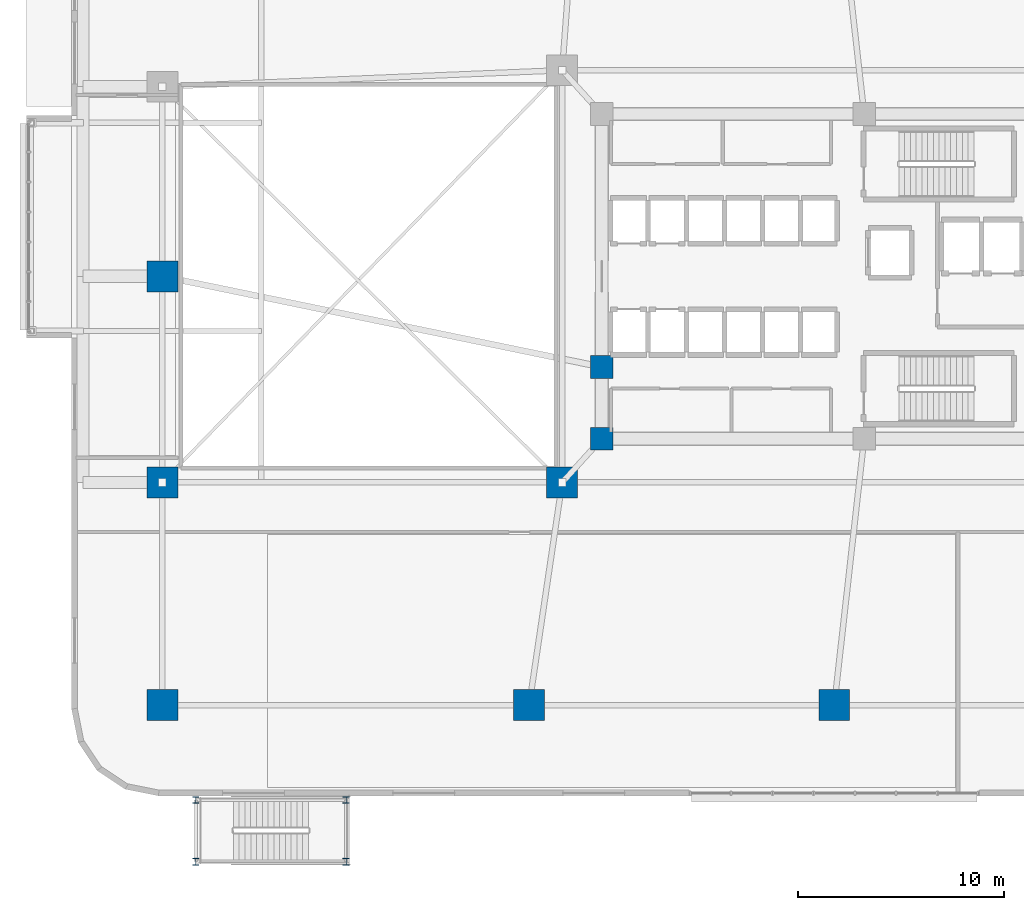
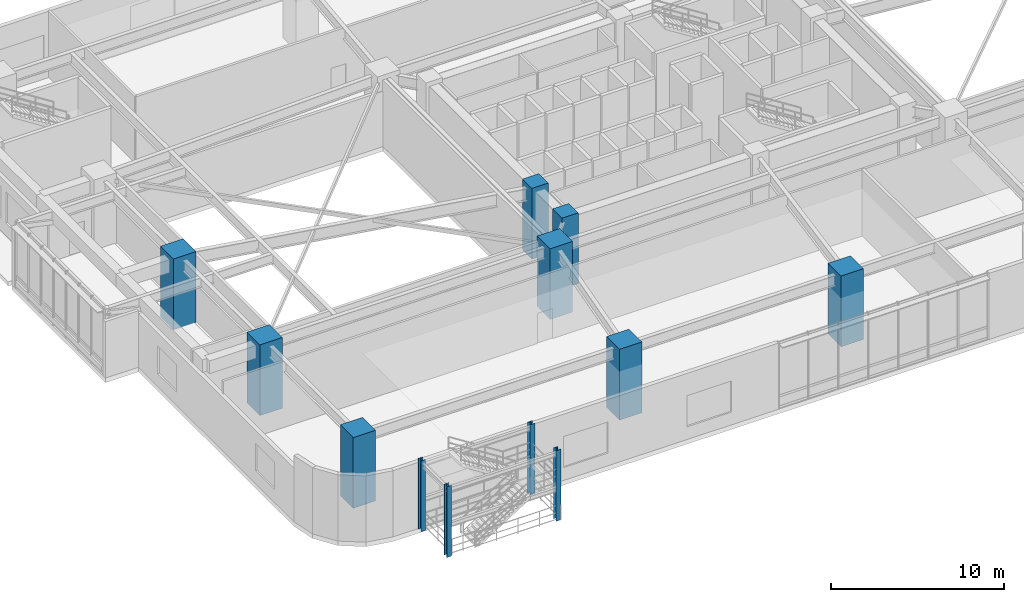
# One storey, part 1 of 26: 12 columns.
"""IFC4 building model written with IfcOpenShell, lengths in metres."""

from ifc_helpers import new_model, si_unit, direction, frame, origin, origin_2d, place, context, subcontext, project, spatial, rectangle, i_section, extrude, material, material_profile, profile_set, type_object, element, save


model = new_model("IFC4")

# Units and contexts
model_context = context("Model", 3, precision=1e-05, world=origin(), true_north=direction((0.0, 1.0)))
body_context = subcontext(model_context, "Body", "Model", "MODEL_VIEW")
ifc_project = project(units=[si_unit("LENGTHUNIT", "METRE"), si_unit("AREAUNIT", "SQUARE_METRE"), si_unit("VOLUMEUNIT", "CUBIC_METRE"), si_unit("PLANEANGLEUNIT", "RADIAN"), si_unit("MASSUNIT", "GRAM", prefix="KILO")], contexts=[model_context])

# Site, building, storey
site_placement = place(None, origin())
site = spatial("IfcSite", under=ifc_project, at=site_placement, CompositionType="ELEMENT")
building_placement = place(site_placement, origin())
building = spatial("IfcBuilding", under=site, at=building_placement, Name="Zulverin Broadcast Headquarters", CompositionType="ELEMENT")
storey_placement = place(building_placement, frame((0.0, 0.0, 15.0)))
storey = spatial("IfcBuildingStorey", under=building, at=storey_placement, Name="L03", CompositionType="ELEMENT", Elevation=15.0)

# Columns
ifc_material_1 = material(Name="Concrete C60/75", Category="concrete")
ifc_material_profile_1 = material_profile(ifc_material_1, rectangle(XDim=1.5, YDim=1.5, at=origin_2d()), Name="Concrete C60/75", Category="concrete")
ifc_profile_set_1 = profile_set([ifc_material_profile_1], Name="Concrete C60/75")
column_type_1 = type_object("IfcColumnType", Name="COL-RC-1500", PredefinedType="COLUMN", material=ifc_profile_set_1)
for number, where, z_axis, x_axis, name in (
    (1, (4.39990234375, 4.39990234375, 0.0), (0.0, 0.0, 1.0), (1.0, 0.0, 0.0), "L03 Podium Mega Column P01"),
    (2, (22.199951171875, 4.39990234375, 0.0), (0.0, 0.0, 1.0), (1.0, 0.0, 0.0), "L03 Podium Mega Column P02"),
    (3, (37.0, 4.39990234375, 0.0), (0.0, 0.0, 1.0), (1.0, 0.0, 0.0), "L03 Podium Mega Column P03"),
    (4, (4.39990234375, 15.199951171875, 0.0), (0.0, 0.0, 1.0), (1.0, 0.0, 0.0), "L03 Podium Mega Column P11"),
    (5, (4.39990234375, 25.199951171875, 0.0), (0.0, 0.0, 1.0), (1.0, 0.0, 0.0), "L03 Podium Mega Column P12"),
    (6, (23.800048828125, 15.199951171875, 0.0), (0.0, 0.0, 1.0), (1.0, 0.0, 0.0), "L03 Podium Mega Column M01"),
):
    element("IfcColumn", number, at=place(storey_placement, frame(where, z_axis=z_axis, x_axis=x_axis)), inside=storey, type_object=column_type_1, Name=name, PredefinedType="COLUMN", context=body_context, shape_type="SweptSolid", body=[
        extrude(rectangle(XDim=1.5, YDim=1.5, at=origin_2d()), origin(), (0.0, 0.0, 1.0), 5.0),
    ])
ifc_material_2 = material(Name="Structural steel S355JR", Category="steel")
ifc_material_profile_2 = material_profile(ifc_material_2, i_section(OverallWidth=0.311279296875, OverallDepth=0.3271484375, WebThickness=0.015869140625, FlangeThickness=0.02490234375, at=origin_2d()), Name="Structural steel S355JR", Category="steel")
ifc_profile_set_2 = profile_set([ifc_material_profile_2], Name="Structural steel S355JR")
column_type_2 = type_object("IfcColumnType", Name="COL-UC-158", PredefinedType="COLUMN", material=ifc_profile_set_2)
for number, where, z_axis, x_axis, name in (
    (7, (6.02001953125, -3.199951171875, 0.0), (0.0, 0.0, 1.0), (1.0, 0.0, 0.0), "L03 Exterior Garden Stair Support Column ST5-P1"),
    (8, (13.320068359375, -3.199951171875, 0.0), (0.0, 0.0, 1.0), (1.0, 0.0, 0.0), "L03 Exterior Garden Stair Support Column ST5-P2"),
    (9, (6.02001953125, -0.199951171875, 0.0), (0.0, 0.0, 1.0), (1.0, 0.0, 0.0), "L03 Exterior Garden Stair Support Column ST5-P3"),
    (10, (13.320068359375, -0.199951171875, 0.0), (0.0, 0.0, 1.0), (1.0, 0.0, 0.0), "L03 Exterior Garden Stair Support Column ST5-P4"),
):
    element("IfcColumn", number, at=place(storey_placement, frame(where, z_axis=z_axis, x_axis=x_axis)), inside=storey, type_object=column_type_2, Name=name, PredefinedType="COLUMN", context=body_context, shape_type="SweptSolid", body=[
        extrude(i_section(OverallWidth=0.311279296875, OverallDepth=0.3271484375, WebThickness=0.015869140625, FlangeThickness=0.02490234375, at=origin_2d()), origin(), (0.0, 0.0, 1.0), 5.0),
    ])
ifc_material_profile_3 = material_profile(ifc_material_1, rectangle(XDim=1.10009765625, YDim=1.10009765625, at=origin_2d()), Name="Concrete C60/75", Category="concrete")
ifc_profile_set_3 = profile_set([ifc_material_profile_3], Name="Concrete C60/75")
column_type_3 = type_object("IfcColumnType", Name="PIL-RC-1100", PredefinedType="PILASTER", material=ifc_profile_set_3)
for number, where, z_axis, x_axis, name in (
    (11, (25.72509765625, 17.324951171875, 0.0), (0.0, 0.0, 1.0), (1.0, 0.0, 0.0), "L03 Core Pilaster K01"),
    (12, (25.72509765625, 20.800048828125, 0.0), (0.0, 0.0, 1.0), (1.0, 0.0, 0.0), "L03 Core Pilaster K08"),
):
    element("IfcColumn", number, at=place(storey_placement, frame(where, z_axis=z_axis, x_axis=x_axis)), inside=storey, type_object=column_type_3, Name=name, PredefinedType="PILASTER", context=body_context, shape_type="SweptSolid", body=[
        extrude(rectangle(XDim=1.10009765625, YDim=1.10009765625, at=origin_2d()), origin(), (0.0, 0.0, 1.0), 5.0),
    ])

save(model, "model.ifc")
